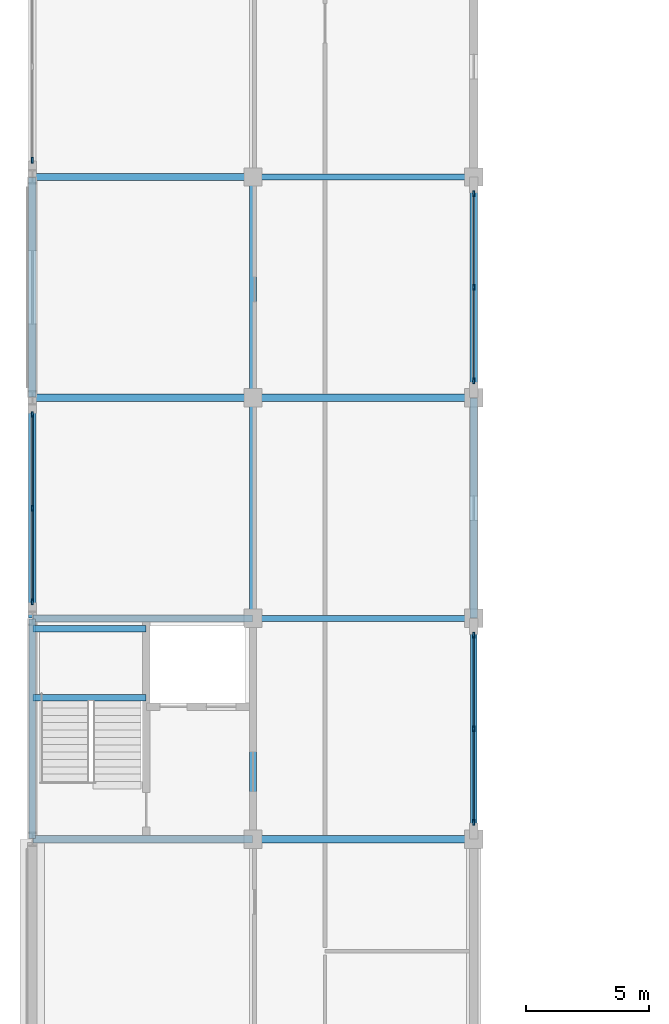
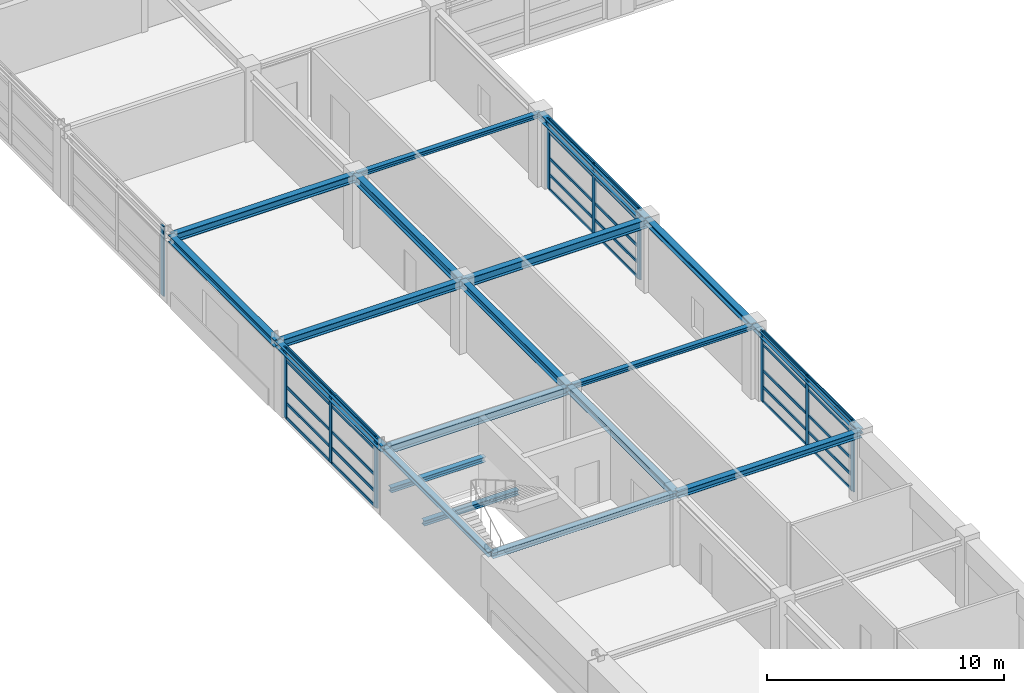
# One storey, part 22 of 79: 40 members, 19 beams, 4 elements without a shape of their own.
"""IFC4 building model written with IfcOpenShell, lengths in metres."""

import ifcopenshell
import ifcopenshell.guid

model = None  # the IFC model being written
_history = None  # IfcOwnerHistory: only IFC2X3 demands one
_inside = {}  # id of a spatial element -> (the spatial element, [elements in it])
_under = {}  # id of a project, library or spatial element -> (it, [spatial elements below it])
_declared = {}  # id of a project -> (the project, [libraries it declares])
_typed = {}  # id of a type object -> (the type object, [elements of that type])
_made_of = {}  # id of a material, layer set ... -> (it, [elements and type objects made of it])


def new_model(schema):
    """Start an empty IFC model of exactly this schema.

    Asked for "IFC4X3", IfcOpenShell would pick the latest addendum, in which some entities
    have other attributes; the version numbers below select the first issue.
    IFC2X3 requires an IfcOwnerHistory on every rooted entity: one is made here for all.
    """
    global model, _history
    if schema == "IFC4X3":
        model = ifcopenshell.file(schema_version=(4, 3, 0, 0))
    else:
        model = ifcopenshell.file(schema=schema)
    _inside.clear()
    _under.clear()
    _declared.clear()
    _typed.clear()
    _made_of.clear()
    _history = None
    if model.schema == "IFC2X3":
        org = make("IfcOrganization", Name="unknown")
        user = make(
            "IfcPersonAndOrganization",
            ThePerson=make("IfcPerson", FamilyName="unknown"),
            TheOrganization=org,
        )
        app = make(
            "IfcApplication",
            ApplicationDeveloper=org,
            Version="unknown",
            ApplicationFullName="unknown",
            ApplicationIdentifier="unknown",
        )
        _history = make(
            "IfcOwnerHistory",
            OwningUser=user,
            OwningApplication=app,
            ChangeAction="ADDED",
            CreationDate=0,
        )
    return model


def make(cls, **values):
    """One entity of the class cls with the attributes given. An attribute that is None is left unset."""
    return model.create_entity(
        cls, **{name: value for name, value in values.items() if value is not None}
    )


def rooted(cls, **values):
    """An entity with a GlobalId (a new one), such as an element, a storey or a relation."""
    return make(cls, GlobalId=ifcopenshell.guid.new(), OwnerHistory=_history, **values)


def si_unit(unit_type, name, prefix=None):
    """IfcSIUnit, for example si_unit("LENGTHUNIT", "METRE", prefix="MILLI")."""
    return make("IfcSIUnit", UnitType=unit_type, Prefix=prefix, Name=name)


def assignment(units):
    """IfcUnitAssignment: the units of a project."""
    return None if units is None else make("IfcUnitAssignment", Units=units)


def point(xyz):
    """IfcCartesianPoint."""
    return None if xyz is None else make("IfcCartesianPoint", Coordinates=xyz)


def direction(xyz):
    """IfcDirection."""
    return None if xyz is None else make("IfcDirection", DirectionRatios=xyz)


def frame(location, z_axis=None, x_axis=None):
    """IfcAxis2Placement3D, a coordinate frame: its origin and axes. An axis left out is left unset."""
    return make(
        "IfcAxis2Placement3D",
        Location=point(location),
        Axis=direction(z_axis),
        RefDirection=direction(x_axis),
    )


def frame_2d(location, x_axis=None):
    """IfcAxis2Placement2D, a coordinate frame in the plane: its origin and x axis."""
    return make(
        "IfcAxis2Placement2D", Location=point(location), RefDirection=direction(x_axis)
    )


def origin():
    """The frame at (0, 0, 0) with its axes left unset."""
    return frame((0.0, 0.0, 0.0))


def origin_2d():
    """The frame at (0, 0) in the plane with its x axis left unset."""
    return frame_2d((0.0, 0.0))


def place(relative_to, where):
    """IfcLocalPlacement: puts the frame where relative to a parent placement (None: the world)."""
    return make(
        "IfcLocalPlacement", PlacementRelTo=relative_to, RelativePlacement=where
    )


def context(
    kind, dimensions, precision=None, world=None, true_north=None, identifier=None
):
    """IfcGeometricRepresentationContext, for example the 3D "Model" context."""
    return make(
        "IfcGeometricRepresentationContext",
        ContextIdentifier=identifier,
        ContextType=kind,
        CoordinateSpaceDimension=dimensions,
        Precision=precision,
        WorldCoordinateSystem=world,
        TrueNorth=true_north,
    )


def subcontext(parent, identifier, kind, view, scale=None):
    """IfcGeometricRepresentationSubContext, for example "Body" below "Model"."""
    return make(
        "IfcGeometricRepresentationSubContext",
        ContextIdentifier=identifier,
        ContextType=kind,
        ParentContext=parent,
        TargetScale=scale,
        TargetView=view,
    )


def project(units=None, contexts=None):
    """IfcProject with its units and contexts."""
    return rooted(
        "IfcProject",
        Name="project",
        RepresentationContexts=contexts,
        UnitsInContext=assignment(units),
    )


def spatial(cls, under=None, at=None, **own):
    """A site, building, storey or space (cls), placed at a placement, below another one or the project."""
    s = rooted(cls, ObjectPlacement=at, **own)
    if under is not None:
        _under.setdefault(under.id(), (under, []))[1].append(s)
    return s


def profile(cls, at=None, kind="AREA", **sizes):
    """A parametric profile (cls). Its sizes go by their IFC names, for example OverallWidth=200.0."""
    return make(cls, ProfileType=kind, Position=at, **sizes)


def rectangle(**sizes):
    """IfcRectangleProfileDef."""
    return profile("IfcRectangleProfileDef", **sizes)


def i_section(**sizes):
    """IfcIShapeProfileDef."""
    return profile("IfcIShapeProfileDef", **sizes)


def extrude(swept, where, along, depth):
    """IfcExtrudedAreaSolid: the profile swept, set in the frame where, extruded along a direction by depth."""
    return make(
        "IfcExtrudedAreaSolid",
        SweptArea=swept,
        Position=where,
        ExtrudedDirection=direction(along),
        Depth=depth,
    )


def shape(context_of_items, identifier, shape_type, items):
    """IfcShapeRepresentation: the items that make up one representation, for example the "Body"."""
    return make(
        "IfcShapeRepresentation",
        ContextOfItems=context_of_items,
        RepresentationIdentifier=identifier,
        RepresentationType=shape_type,
        Items=items,
    )


def material(Name=None, Category=None):
    """IfcMaterial."""
    return make("IfcMaterial", Name=Name, Category=Category)


def material_profile(
    of_material, cross_section, Name=None, Category=None, Priority=None
):
    """IfcMaterialProfile: a cross section and its material."""
    return make(
        "IfcMaterialProfile",
        Name=Name,
        Material=of_material,
        Profile=cross_section,
        Priority=Priority,
        Category=Category,
    )


def profile_set(profiles, Name=None, composite=None):
    """IfcMaterialProfileSet."""
    return make(
        "IfcMaterialProfileSet",
        Name=Name,
        MaterialProfiles=profiles,
        CompositeProfile=composite,
    )


def made_of(thing, what):
    """Note that an element or type object is made of a material, layer set ...; save() writes the relation."""
    if what is not None:
        _made_of.setdefault(what.id(), (what, []))[1].append(thing)
    return thing


def type_object(cls, material=None, **own):
    """A type object (cls), such as IfcWallType, which elements share."""
    return made_of(rooted(cls, **own), material)


def element(
    cls,
    number,
    at=None,
    inside=None,
    cuts=None,
    type_object=None,
    material=None,
    context=None,
    identifier="Body",
    shape_type=None,
    held_by="IfcProductDefinitionShape",
    body=None,
    shapes=None,
    **own,
):
    """One element of the class cls, such as IfcWall. Its Tag is "e" and its number.

    at: its placement. inside: the storey or other place that contains it. cuts: it is an
    opening in that element (IfcRelVoidsElement). A single representation is given by context,
    identifier, shape_type and body (its items); several are given by shapes. held_by: the class
    of the entity that holds the representations. save() writes the other relations.
    """
    e = rooted(cls, Tag="e%d" % number, ObjectPlacement=at, **own)
    if body is not None:
        shapes = [shape(context, identifier, shape_type, body)]
    if shapes is not None:
        e.Representation = make(held_by, Representations=shapes)
    if inside is not None:
        _inside.setdefault(inside.id(), (inside, []))[1].append(e)
    if cuts is not None:
        rooted(
            "IfcRelVoidsElement", RelatingBuildingElement=cuts, RelatedOpeningElement=e
        )
    if type_object is not None:
        _typed.setdefault(type_object.id(), (type_object, []))[1].append(e)
    return made_of(e, material)


def aggregate(whole, parts):
    """IfcRelAggregates: a whole, such as a stair, and the parts it consists of."""
    return rooted("IfcRelAggregates", RelatingObject=whole, RelatedObjects=parts)


def save(model, path):
    """Write the relations noted so far, then the file.

    IfcRelAggregates (storeys below a building ...), IfcRelContainedInSpatialStructure (elements
    in a storey), IfcRelDefinesByType, IfcRelAssociatesMaterial and IfcRelDeclares: one each for
    every whole, place, type object, material and project.
    """
    for whole, parts in _under.values():
        aggregate(whole, parts)
    for where, things in _inside.values():
        rooted(
            "IfcRelContainedInSpatialStructure",
            RelatedElements=things,
            RelatingStructure=where,
        )
    for kind, things in _typed.values():
        rooted("IfcRelDefinesByType", RelatedObjects=things, RelatingType=kind)
    for what, things in _made_of.values():
        rooted("IfcRelAssociatesMaterial", RelatedObjects=things, RelatingMaterial=what)
    for by, libraries in _declared.values():
        rooted("IfcRelDeclares", RelatingContext=by, RelatedDefinitions=libraries)
    model.write(path)


model = new_model("IFC4")

# Units and contexts
model_context = context("Model", 3, precision=1e-05, world=origin(), true_north=direction((0.0, 1.0)))
body_context = subcontext(model_context, "Body", "Model", "MODEL_VIEW")
ifc_project = project(units=[si_unit("LENGTHUNIT", "METRE"), si_unit("AREAUNIT", "SQUARE_METRE"), si_unit("VOLUMEUNIT", "CUBIC_METRE"), si_unit("PLANEANGLEUNIT", "RADIAN"), si_unit("MASSUNIT", "GRAM", prefix="KILO")], contexts=[model_context])

# Site, building, storey
site_placement = place(None, origin())
site = spatial("IfcSite", under=ifc_project, at=site_placement, CompositionType="ELEMENT")
building_placement = place(site_placement, origin())
building = spatial("IfcBuilding", under=site, at=building_placement, Name="Palais des Congres Ocreval", CompositionType="ELEMENT")
storey_placement = place(building_placement, frame((0.0, 0.0, 4.320068359375)))
storey = spatial("IfcBuildingStorey", under=building, at=storey_placement, Name="L01", CompositionType="ELEMENT", Elevation=4.320068359375)

# Curtain wall, members
ifc_material_1 = material(Name="Anodized bronze aluminium and low-E glass", Category="glass")
curtain_wall_type = type_object("IfcCurtainWallType", Name="Unitised Curtain Wall 7900x3660", PredefinedType="USERDEFINED", material=ifc_material_1)
curtain_wall_1_placement = place(storey_placement, origin())
curtain_wall_1 = element("IfcCurtainWall", 1, at=curtain_wall_1_placement, inside=storey, type_object=curtain_wall_type, Name="Unitised Curtain Wall CW02 L01", ObjectType="UNITISED CURTAIN WALL", PredefinedType="USERDEFINED")
ifc_material_2 = material(Name="Anodized bronze aluminium", Category="aluminium")
ifc_material_profile_1 = material_profile(ifc_material_2, rectangle(XDim=0.074951171875, YDim=0.239990234375, at=origin_2d()), Name="ALU 75x240")
ifc_profile_set_1 = profile_set([ifc_material_profile_1], Name="Anodized bronze aluminium")
member_type_1 = type_object("IfcMemberType", Name="Curtain Wall Mullion ALU 75x240", PredefinedType="MULLION", material=ifc_profile_set_1)
member_1_placement = place(storey_placement, frame((0.0, 45.6875, 0.0), z_axis=(0.0, 0.0, 1.0), x_axis=(-1.0, 0.0, 0.0)))
member_1 = element("IfcMember", 2, at=member_1_placement, type_object=member_type_1, Name="Curtain Wall Mullion ML01", PredefinedType="MULLION", context=body_context, shape_type="SweptSolid", body=[
    extrude(rectangle(XDim=0.074951171875, YDim=0.239990234375, at=origin_2d()), origin(), (0.0, 0.0, 1.0), 3.599853515625),
])
member_2_placement = place(storey_placement, frame((0.0, 49.5, 0.0), z_axis=(0.0, 0.0, 1.0), x_axis=(-1.0, 0.0, 0.0)))
member_2 = element("IfcMember", 3, at=member_2_placement, type_object=member_type_1, Name="Curtain Wall Mullion ML01", PredefinedType="MULLION", context=body_context, shape_type="SweptSolid", body=[
    extrude(rectangle(XDim=0.074951171875, YDim=0.239990234375, at=origin_2d()), origin(), (0.0, 0.0, 1.0), 3.599853515625),
])
member_3_placement = place(storey_placement, frame((0.0, 53.3125, 0.0), z_axis=(0.0, 0.0, 1.0), x_axis=(-1.0, 0.0, 0.0)))
member_3 = element("IfcMember", 4, at=member_3_placement, type_object=member_type_1, Name="Curtain Wall Mullion ML01", PredefinedType="MULLION", context=body_context, shape_type="SweptSolid", body=[
    extrude(rectangle(XDim=0.074951171875, YDim=0.239990234375, at=origin_2d()), origin(), (0.0, 0.0, 1.0), 3.599853515625),
])

# Curtain wall, member
curtain_wall_2_placement = place(storey_placement, origin())
curtain_wall_2 = element("IfcCurtainWall", 5, at=curtain_wall_2_placement, inside=storey, type_object=curtain_wall_type, Name="Unitised Curtain Wall CW02 L01", ObjectType="UNITISED CURTAIN WALL", PredefinedType="USERDEFINED")
member_4_placement = place(storey_placement, frame((0.0, 63.6875, 0.0), z_axis=(0.0, 0.0, 1.0), x_axis=(-1.0, 0.0, 0.0)))
member_4 = element("IfcMember", 6, at=member_4_placement, type_object=member_type_1, Name="Curtain Wall Mullion ML01", PredefinedType="MULLION", context=body_context, shape_type="SweptSolid", body=[
    extrude(rectangle(XDim=0.074951171875, YDim=0.239990234375, at=origin_2d()), origin(), (0.0, 0.0, 1.0), 3.599853515625),
])
aggregate(curtain_wall_2, [member_4])

# Curtain wall, members
curtain_wall_3_placement = place(storey_placement, origin())
curtain_wall_3 = element("IfcCurtainWall", 7, at=curtain_wall_3_placement, inside=storey, type_object=curtain_wall_type, Name="Unitised Curtain Wall CW02 L01", ObjectType="UNITISED CURTAIN WALL", PredefinedType="USERDEFINED")
member_5_placement = place(storey_placement, frame((18.0, 62.3125, 0.0), z_axis=(0.0, 0.0, 1.0), x_axis=(1.0, 0.0, 0.0)))
member_5 = element("IfcMember", 8, at=member_5_placement, type_object=member_type_1, Name="Curtain Wall Mullion ML01", PredefinedType="MULLION", context=body_context, shape_type="SweptSolid", body=[
    extrude(rectangle(XDim=0.074951171875, YDim=0.239990234375, at=origin_2d()), origin(), (0.0, 0.0, 1.0), 3.599853515625),
])
member_6_placement = place(storey_placement, frame((18.0, 58.5, 0.0), z_axis=(0.0, 0.0, 1.0), x_axis=(1.0, 0.0, 0.0)))
member_6 = element("IfcMember", 9, at=member_6_placement, type_object=member_type_1, Name="Curtain Wall Mullion ML01", PredefinedType="MULLION", context=body_context, shape_type="SweptSolid", body=[
    extrude(rectangle(XDim=0.074951171875, YDim=0.239990234375, at=origin_2d()), origin(), (0.0, 0.0, 1.0), 3.599853515625),
])
member_7_placement = place(storey_placement, frame((18.0, 54.6875, 0.0), z_axis=(0.0, 0.0, 1.0), x_axis=(1.0, 0.0, 0.0)))
member_7 = element("IfcMember", 10, at=member_7_placement, type_object=member_type_1, Name="Curtain Wall Mullion ML01", PredefinedType="MULLION", context=body_context, shape_type="SweptSolid", body=[
    extrude(rectangle(XDim=0.074951171875, YDim=0.239990234375, at=origin_2d()), origin(), (0.0, 0.0, 1.0), 3.599853515625),
])

curtain_wall_4_placement = place(storey_placement, origin())
curtain_wall_4 = element("IfcCurtainWall", 11, at=curtain_wall_4_placement, inside=storey, type_object=curtain_wall_type, Name="Unitised Curtain Wall CW02 L01", ObjectType="UNITISED CURTAIN WALL", PredefinedType="USERDEFINED")
member_8_placement = place(storey_placement, frame((18.0, 44.3125, 0.0), z_axis=(0.0, 0.0, 1.0), x_axis=(1.0, 0.0, 0.0)))
member_8 = element("IfcMember", 12, at=member_8_placement, type_object=member_type_1, Name="Curtain Wall Mullion ML01", PredefinedType="MULLION", context=body_context, shape_type="SweptSolid", body=[
    extrude(rectangle(XDim=0.074951171875, YDim=0.239990234375, at=origin_2d()), origin(), (0.0, 0.0, 1.0), 3.599853515625),
])
member_9_placement = place(storey_placement, frame((18.0, 40.5, 0.0), z_axis=(0.0, 0.0, 1.0), x_axis=(1.0, 0.0, 0.0)))
member_9 = element("IfcMember", 13, at=member_9_placement, type_object=member_type_1, Name="Curtain Wall Mullion ML01", PredefinedType="MULLION", context=body_context, shape_type="SweptSolid", body=[
    extrude(rectangle(XDim=0.074951171875, YDim=0.239990234375, at=origin_2d()), origin(), (0.0, 0.0, 1.0), 3.599853515625),
])
member_10_placement = place(storey_placement, frame((18.0, 36.6875, 0.0), z_axis=(0.0, 0.0, 1.0), x_axis=(1.0, 0.0, 0.0)))
member_10 = element("IfcMember", 14, at=member_10_placement, type_object=member_type_1, Name="Curtain Wall Mullion ML01", PredefinedType="MULLION", context=body_context, shape_type="SweptSolid", body=[
    extrude(rectangle(XDim=0.074951171875, YDim=0.239990234375, at=origin_2d()), origin(), (0.0, 0.0, 1.0), 3.599853515625),
])

# Member
ifc_material_profile_2 = material_profile(ifc_material_2, rectangle(XDim=0.06005859375, YDim=0.14990234375, at=origin_2d()), Name="ALU 60x150")
ifc_profile_set_2 = profile_set([ifc_material_profile_2], Name="Anodized bronze aluminium")
member_type_2 = type_object("IfcMemberType", Name="Curtain Wall Transom ALU 60x150", PredefinedType="USERDEFINED", material=ifc_profile_set_2)
member_11_placement = place(storey_placement, frame((0.0, 45.72509765625, 0.030029296875), z_axis=(0.0, 1.0, 0.0), x_axis=(-1.0, 0.0, 0.0)))
member_11 = element("IfcMember", 15, at=member_11_placement, type_object=member_type_2, Name="Curtain Wall Transom TR01", ObjectType="TRANSOM", PredefinedType="USERDEFINED", context=body_context, shape_type="SweptSolid", body=[
    extrude(rectangle(XDim=0.06005859375, YDim=0.14990234375, at=origin_2d()), origin(), (0.0, 0.0, 1.0), 3.7373046875),
])

member_12_placement = place(storey_placement, frame((0.0, 45.72509765625, 0.780029296875), z_axis=(0.0, 1.0, 0.0), x_axis=(-1.0, 0.0, 0.0)))
member_12 = element("IfcMember", 16, at=member_12_placement, type_object=member_type_2, Name="Curtain Wall Transom TR01", ObjectType="TRANSOM", PredefinedType="USERDEFINED", context=body_context, shape_type="SweptSolid", body=[
    extrude(rectangle(XDim=0.06005859375, YDim=0.14990234375, at=origin_2d()), origin(), (0.0, 0.0, 1.0), 3.7373046875),
])

member_13_placement = place(storey_placement, frame((0.0, 45.72509765625, 1.622314453125), z_axis=(0.0, 1.0, 0.0), x_axis=(-1.0, 0.0, 0.0)))
member_13 = element("IfcMember", 17, at=member_13_placement, type_object=member_type_2, Name="Curtain Wall Transom TR01", ObjectType="TRANSOM", PredefinedType="USERDEFINED", context=body_context, shape_type="SweptSolid", body=[
    extrude(rectangle(XDim=0.06005859375, YDim=0.14990234375, at=origin_2d()), origin(), (0.0, 0.0, 1.0), 3.7373046875),
])

member_14_placement = place(storey_placement, frame((0.0, 45.72509765625, 2.949951171875), z_axis=(0.0, 1.0, 0.0), x_axis=(-1.0, 0.0, 0.0)))
member_14 = element("IfcMember", 18, at=member_14_placement, type_object=member_type_2, Name="Curtain Wall Transom TR01", ObjectType="TRANSOM", PredefinedType="USERDEFINED", context=body_context, shape_type="SweptSolid", body=[
    extrude(rectangle(XDim=0.06005859375, YDim=0.14990234375, at=origin_2d()), origin(), (0.0, 0.0, 1.0), 3.7373046875),
])

member_15_placement = place(storey_placement, frame((0.0, 45.72509765625, 3.56982421875), z_axis=(0.0, 1.0, 0.0), x_axis=(-1.0, 0.0, 0.0)))
member_15 = element("IfcMember", 19, at=member_15_placement, type_object=member_type_2, Name="Curtain Wall Transom TR01", ObjectType="TRANSOM", PredefinedType="USERDEFINED", context=body_context, shape_type="SweptSolid", body=[
    extrude(rectangle(XDim=0.06005859375, YDim=0.14990234375, at=origin_2d()), origin(), (0.0, 0.0, 1.0), 3.7373046875),
])

member_16_placement = place(storey_placement, frame((0.0, 49.53759765625, 0.030029296875), z_axis=(0.0, 1.0, 0.0), x_axis=(-1.0, 0.0, 0.0)))
member_16 = element("IfcMember", 20, at=member_16_placement, type_object=member_type_2, Name="Curtain Wall Transom TR01", ObjectType="TRANSOM", PredefinedType="USERDEFINED", context=body_context, shape_type="SweptSolid", body=[
    extrude(rectangle(XDim=0.06005859375, YDim=0.14990234375, at=origin_2d()), origin(), (0.0, 0.0, 1.0), 3.7373046875),
])

member_17_placement = place(storey_placement, frame((0.0, 49.53759765625, 0.780029296875), z_axis=(0.0, 1.0, 0.0), x_axis=(-1.0, 0.0, 0.0)))
member_17 = element("IfcMember", 21, at=member_17_placement, type_object=member_type_2, Name="Curtain Wall Transom TR01", ObjectType="TRANSOM", PredefinedType="USERDEFINED", context=body_context, shape_type="SweptSolid", body=[
    extrude(rectangle(XDim=0.06005859375, YDim=0.14990234375, at=origin_2d()), origin(), (0.0, 0.0, 1.0), 3.7373046875),
])

member_18_placement = place(storey_placement, frame((0.0, 49.53759765625, 1.622314453125), z_axis=(0.0, 1.0, 0.0), x_axis=(-1.0, 0.0, 0.0)))
member_18 = element("IfcMember", 22, at=member_18_placement, type_object=member_type_2, Name="Curtain Wall Transom TR01", ObjectType="TRANSOM", PredefinedType="USERDEFINED", context=body_context, shape_type="SweptSolid", body=[
    extrude(rectangle(XDim=0.06005859375, YDim=0.14990234375, at=origin_2d()), origin(), (0.0, 0.0, 1.0), 3.7373046875),
])

member_19_placement = place(storey_placement, frame((0.0, 49.53759765625, 2.949951171875), z_axis=(0.0, 1.0, 0.0), x_axis=(-1.0, 0.0, 0.0)))
member_19 = element("IfcMember", 23, at=member_19_placement, type_object=member_type_2, Name="Curtain Wall Transom TR01", ObjectType="TRANSOM", PredefinedType="USERDEFINED", context=body_context, shape_type="SweptSolid", body=[
    extrude(rectangle(XDim=0.06005859375, YDim=0.14990234375, at=origin_2d()), origin(), (0.0, 0.0, 1.0), 3.7373046875),
])

member_20_placement = place(storey_placement, frame((0.0, 49.53759765625, 3.56982421875), z_axis=(0.0, 1.0, 0.0), x_axis=(-1.0, 0.0, 0.0)))
member_20 = element("IfcMember", 24, at=member_20_placement, type_object=member_type_2, Name="Curtain Wall Transom TR01", ObjectType="TRANSOM", PredefinedType="USERDEFINED", context=body_context, shape_type="SweptSolid", body=[
    extrude(rectangle(XDim=0.06005859375, YDim=0.14990234375, at=origin_2d()), origin(), (0.0, 0.0, 1.0), 3.7373046875),
])

aggregate(curtain_wall_1, [member_1, member_2, member_3, member_11, member_12, member_13, member_14, member_15, member_16, member_17, member_18, member_19, member_20])

member_21_placement = place(storey_placement, frame((18.0, 62.27490234375, 0.030029296875), z_axis=(0.0, -1.0, 0.0), x_axis=(1.0, 0.0, 0.0)))
member_21 = element("IfcMember", 25, at=member_21_placement, type_object=member_type_2, Name="Curtain Wall Transom TR01", ObjectType="TRANSOM", PredefinedType="USERDEFINED", context=body_context, shape_type="SweptSolid", body=[
    extrude(rectangle(XDim=0.06005859375, YDim=0.14990234375, at=origin_2d()), origin(), (0.0, 0.0, 1.0), 3.7373046875),
])

member_22_placement = place(storey_placement, frame((18.0, 62.27490234375, 0.780029296875), z_axis=(0.0, -1.0, 0.0), x_axis=(1.0, 0.0, 0.0)))
member_22 = element("IfcMember", 26, at=member_22_placement, type_object=member_type_2, Name="Curtain Wall Transom TR01", ObjectType="TRANSOM", PredefinedType="USERDEFINED", context=body_context, shape_type="SweptSolid", body=[
    extrude(rectangle(XDim=0.06005859375, YDim=0.14990234375, at=origin_2d()), origin(), (0.0, 0.0, 1.0), 3.7373046875),
])

member_23_placement = place(storey_placement, frame((18.0, 62.27490234375, 1.622314453125), z_axis=(0.0, -1.0, 0.0), x_axis=(1.0, 0.0, 0.0)))
member_23 = element("IfcMember", 27, at=member_23_placement, type_object=member_type_2, Name="Curtain Wall Transom TR01", ObjectType="TRANSOM", PredefinedType="USERDEFINED", context=body_context, shape_type="SweptSolid", body=[
    extrude(rectangle(XDim=0.06005859375, YDim=0.14990234375, at=origin_2d()), origin(), (0.0, 0.0, 1.0), 3.7373046875),
])

member_24_placement = place(storey_placement, frame((18.0, 62.27490234375, 2.949951171875), z_axis=(0.0, -1.0, 0.0), x_axis=(1.0, 0.0, 0.0)))
member_24 = element("IfcMember", 28, at=member_24_placement, type_object=member_type_2, Name="Curtain Wall Transom TR01", ObjectType="TRANSOM", PredefinedType="USERDEFINED", context=body_context, shape_type="SweptSolid", body=[
    extrude(rectangle(XDim=0.06005859375, YDim=0.14990234375, at=origin_2d()), origin(), (0.0, 0.0, 1.0), 3.7373046875),
])

member_25_placement = place(storey_placement, frame((18.0, 62.27490234375, 3.56982421875), z_axis=(0.0, -1.0, 0.0), x_axis=(1.0, 0.0, 0.0)))
member_25 = element("IfcMember", 29, at=member_25_placement, type_object=member_type_2, Name="Curtain Wall Transom TR01", ObjectType="TRANSOM", PredefinedType="USERDEFINED", context=body_context, shape_type="SweptSolid", body=[
    extrude(rectangle(XDim=0.06005859375, YDim=0.14990234375, at=origin_2d()), origin(), (0.0, 0.0, 1.0), 3.7373046875),
])

member_26_placement = place(storey_placement, frame((18.0, 58.46240234375, 0.030029296875), z_axis=(0.0, -1.0, 0.0), x_axis=(1.0, 0.0, 0.0)))
member_26 = element("IfcMember", 30, at=member_26_placement, type_object=member_type_2, Name="Curtain Wall Transom TR01", ObjectType="TRANSOM", PredefinedType="USERDEFINED", context=body_context, shape_type="SweptSolid", body=[
    extrude(rectangle(XDim=0.06005859375, YDim=0.14990234375, at=origin_2d()), origin(), (0.0, 0.0, 1.0), 3.7373046875),
])

member_27_placement = place(storey_placement, frame((18.0, 58.46240234375, 0.780029296875), z_axis=(0.0, -1.0, 0.0), x_axis=(1.0, 0.0, 0.0)))
member_27 = element("IfcMember", 31, at=member_27_placement, type_object=member_type_2, Name="Curtain Wall Transom TR01", ObjectType="TRANSOM", PredefinedType="USERDEFINED", context=body_context, shape_type="SweptSolid", body=[
    extrude(rectangle(XDim=0.06005859375, YDim=0.14990234375, at=origin_2d()), origin(), (0.0, 0.0, 1.0), 3.7373046875),
])

member_28_placement = place(storey_placement, frame((18.0, 58.46240234375, 1.622314453125), z_axis=(0.0, -1.0, 0.0), x_axis=(1.0, 0.0, 0.0)))
member_28 = element("IfcMember", 32, at=member_28_placement, type_object=member_type_2, Name="Curtain Wall Transom TR01", ObjectType="TRANSOM", PredefinedType="USERDEFINED", context=body_context, shape_type="SweptSolid", body=[
    extrude(rectangle(XDim=0.06005859375, YDim=0.14990234375, at=origin_2d()), origin(), (0.0, 0.0, 1.0), 3.7373046875),
])

member_29_placement = place(storey_placement, frame((18.0, 58.46240234375, 2.949951171875), z_axis=(0.0, -1.0, 0.0), x_axis=(1.0, 0.0, 0.0)))
member_29 = element("IfcMember", 33, at=member_29_placement, type_object=member_type_2, Name="Curtain Wall Transom TR01", ObjectType="TRANSOM", PredefinedType="USERDEFINED", context=body_context, shape_type="SweptSolid", body=[
    extrude(rectangle(XDim=0.06005859375, YDim=0.14990234375, at=origin_2d()), origin(), (0.0, 0.0, 1.0), 3.7373046875),
])

member_30_placement = place(storey_placement, frame((18.0, 58.46240234375, 3.56982421875), z_axis=(0.0, -1.0, 0.0), x_axis=(1.0, 0.0, 0.0)))
member_30 = element("IfcMember", 34, at=member_30_placement, type_object=member_type_2, Name="Curtain Wall Transom TR01", ObjectType="TRANSOM", PredefinedType="USERDEFINED", context=body_context, shape_type="SweptSolid", body=[
    extrude(rectangle(XDim=0.06005859375, YDim=0.14990234375, at=origin_2d()), origin(), (0.0, 0.0, 1.0), 3.7373046875),
])

aggregate(curtain_wall_3, [member_5, member_6, member_7, member_21, member_22, member_23, member_24, member_25, member_26, member_27, member_28, member_29, member_30])

member_31_placement = place(storey_placement, frame((18.0, 44.27490234375, 0.030029296875), z_axis=(0.0, -1.0, 0.0), x_axis=(1.0, 0.0, 0.0)))
member_31 = element("IfcMember", 35, at=member_31_placement, type_object=member_type_2, Name="Curtain Wall Transom TR01", ObjectType="TRANSOM", PredefinedType="USERDEFINED", context=body_context, shape_type="SweptSolid", body=[
    extrude(rectangle(XDim=0.06005859375, YDim=0.14990234375, at=origin_2d()), origin(), (0.0, 0.0, 1.0), 3.7373046875),
])

member_32_placement = place(storey_placement, frame((18.0, 44.27490234375, 0.780029296875), z_axis=(0.0, -1.0, 0.0), x_axis=(1.0, 0.0, 0.0)))
member_32 = element("IfcMember", 36, at=member_32_placement, type_object=member_type_2, Name="Curtain Wall Transom TR01", ObjectType="TRANSOM", PredefinedType="USERDEFINED", context=body_context, shape_type="SweptSolid", body=[
    extrude(rectangle(XDim=0.06005859375, YDim=0.14990234375, at=origin_2d()), origin(), (0.0, 0.0, 1.0), 3.7373046875),
])

member_33_placement = place(storey_placement, frame((18.0, 44.27490234375, 1.622314453125), z_axis=(0.0, -1.0, 0.0), x_axis=(1.0, 0.0, 0.0)))
member_33 = element("IfcMember", 37, at=member_33_placement, type_object=member_type_2, Name="Curtain Wall Transom TR01", ObjectType="TRANSOM", PredefinedType="USERDEFINED", context=body_context, shape_type="SweptSolid", body=[
    extrude(rectangle(XDim=0.06005859375, YDim=0.14990234375, at=origin_2d()), origin(), (0.0, 0.0, 1.0), 3.7373046875),
])

member_34_placement = place(storey_placement, frame((18.0, 44.27490234375, 2.949951171875), z_axis=(0.0, -1.0, 0.0), x_axis=(1.0, 0.0, 0.0)))
member_34 = element("IfcMember", 38, at=member_34_placement, type_object=member_type_2, Name="Curtain Wall Transom TR01", ObjectType="TRANSOM", PredefinedType="USERDEFINED", context=body_context, shape_type="SweptSolid", body=[
    extrude(rectangle(XDim=0.06005859375, YDim=0.14990234375, at=origin_2d()), origin(), (0.0, 0.0, 1.0), 3.7373046875),
])

member_35_placement = place(storey_placement, frame((18.0, 44.27490234375, 3.56982421875), z_axis=(0.0, -1.0, 0.0), x_axis=(1.0, 0.0, 0.0)))
member_35 = element("IfcMember", 39, at=member_35_placement, type_object=member_type_2, Name="Curtain Wall Transom TR01", ObjectType="TRANSOM", PredefinedType="USERDEFINED", context=body_context, shape_type="SweptSolid", body=[
    extrude(rectangle(XDim=0.06005859375, YDim=0.14990234375, at=origin_2d()), origin(), (0.0, 0.0, 1.0), 3.7373046875),
])

member_36_placement = place(storey_placement, frame((18.0, 40.46240234375, 0.030029296875), z_axis=(0.0, -1.0, 0.0), x_axis=(1.0, 0.0, 0.0)))
member_36 = element("IfcMember", 40, at=member_36_placement, type_object=member_type_2, Name="Curtain Wall Transom TR01", ObjectType="TRANSOM", PredefinedType="USERDEFINED", context=body_context, shape_type="SweptSolid", body=[
    extrude(rectangle(XDim=0.06005859375, YDim=0.14990234375, at=origin_2d()), origin(), (0.0, 0.0, 1.0), 3.7373046875),
])

member_37_placement = place(storey_placement, frame((18.0, 40.46240234375, 0.780029296875), z_axis=(0.0, -1.0, 0.0), x_axis=(1.0, 0.0, 0.0)))
member_37 = element("IfcMember", 41, at=member_37_placement, type_object=member_type_2, Name="Curtain Wall Transom TR01", ObjectType="TRANSOM", PredefinedType="USERDEFINED", context=body_context, shape_type="SweptSolid", body=[
    extrude(rectangle(XDim=0.06005859375, YDim=0.14990234375, at=origin_2d()), origin(), (0.0, 0.0, 1.0), 3.7373046875),
])

member_38_placement = place(storey_placement, frame((18.0, 40.46240234375, 1.622314453125), z_axis=(0.0, -1.0, 0.0), x_axis=(1.0, 0.0, 0.0)))
member_38 = element("IfcMember", 42, at=member_38_placement, type_object=member_type_2, Name="Curtain Wall Transom TR01", ObjectType="TRANSOM", PredefinedType="USERDEFINED", context=body_context, shape_type="SweptSolid", body=[
    extrude(rectangle(XDim=0.06005859375, YDim=0.14990234375, at=origin_2d()), origin(), (0.0, 0.0, 1.0), 3.7373046875),
])

member_39_placement = place(storey_placement, frame((18.0, 40.46240234375, 2.949951171875), z_axis=(0.0, -1.0, 0.0), x_axis=(1.0, 0.0, 0.0)))
member_39 = element("IfcMember", 43, at=member_39_placement, type_object=member_type_2, Name="Curtain Wall Transom TR01", ObjectType="TRANSOM", PredefinedType="USERDEFINED", context=body_context, shape_type="SweptSolid", body=[
    extrude(rectangle(XDim=0.06005859375, YDim=0.14990234375, at=origin_2d()), origin(), (0.0, 0.0, 1.0), 3.7373046875),
])

member_40_placement = place(storey_placement, frame((18.0, 40.46240234375, 3.56982421875), z_axis=(0.0, -1.0, 0.0), x_axis=(1.0, 0.0, 0.0)))
member_40 = element("IfcMember", 44, at=member_40_placement, type_object=member_type_2, Name="Curtain Wall Transom TR01", ObjectType="TRANSOM", PredefinedType="USERDEFINED", context=body_context, shape_type="SweptSolid", body=[
    extrude(rectangle(XDim=0.06005859375, YDim=0.14990234375, at=origin_2d()), origin(), (0.0, 0.0, 1.0), 3.7373046875),
])

aggregate(curtain_wall_4, [member_8, member_9, member_10, member_31, member_32, member_33, member_34, member_35, member_36, member_37, member_38, member_39, member_40])

# Beams
ifc_material_3 = material(Name="Steel S355", Category="steel")
ifc_material_profile_3 = material_profile(ifc_material_3, i_section(OverallWidth=0.260009765625, OverallDepth=0.260009765625, WebThickness=0.010009765625, FlangeThickness=0.017578125, at=origin_2d()), Name="HEB 260")
ifc_profile_set_3 = profile_set([ifc_material_profile_3], Name="Steel S355")
beam_type_1 = type_object("IfcBeamType", Name="Opening Lintel HEB 260 Steel S355", PredefinedType="LINTEL", material=ifc_profile_set_3)
for number, where, z_axis, x_axis, name in (
    (45, (0.0, 36.02001953125, 3.449951171875), (0.0, 1.0, 0.0), (-1.0, 0.0, 0.0), "Girder LN01 L01"),
    (46, (18.0, 36.02001953125, 3.449951171875), (0.0, 1.0, 0.0), (-1.0, 0.0, 0.0), "Girder LN01 L01"),
):
    element("IfcBeam", number, at=place(storey_placement, frame(where, z_axis=z_axis, x_axis=x_axis)), inside=storey, type_object=beam_type_1, Name=name, PredefinedType="LINTEL", context=body_context, shape_type="SweptSolid", body=[
        extrude(i_section(OverallWidth=0.260009765625, OverallDepth=0.260009765625, WebThickness=0.010009765625, FlangeThickness=0.017578125, at=origin_2d()), origin(), (0.0, 0.0, 1.0), 8.9599609375),
    ])
for number, where, z_axis, x_axis, name in (
    (47, (0.02001953125, 41.77001953125, 1.58984375), (1.0, 0.0, 0.0), (0.0, 1.0, 0.0), "Stair Landing Support Beam ST03 L01-1"),
    (48, (0.02001953125, 44.580078125, 1.58984375), (1.0, 0.0, 0.0), (0.0, 1.0, 0.0), "Stair Landing Support Beam ST03 L01-2"),
):
    element("IfcBeam", number, at=place(storey_placement, frame(where, z_axis=z_axis, x_axis=x_axis)), inside=storey, type_object=beam_type_1, Name=name, PredefinedType="LINTEL", context=body_context, shape_type="SweptSolid", body=[
        extrude(i_section(OverallWidth=0.260009765625, OverallDepth=0.260009765625, WebThickness=0.010009765625, FlangeThickness=0.017578125, at=origin_2d()), origin(), (0.0, 0.0, 1.0), 4.60986328125),
    ])
ifc_material_profile_4 = material_profile(ifc_material_3, i_section(OverallWidth=0.239990234375, OverallDepth=0.22998046875, WebThickness=0.007568359375, FlangeThickness=0.011962890625, at=origin_2d()), Name="HEA 240")
ifc_profile_set_4 = profile_set([ifc_material_profile_4], Name="Steel S355")
beam_type_2 = type_object("IfcBeamType", Name="Perimeter Spandrel HEA 240 Steel S355", PredefinedType="SPANDREL", material=ifc_profile_set_4)
for number, where, z_axis, x_axis, name in (
    (49, (9.02001953125, 45.0, 3.46484375), (1.0, 0.0, 0.0), (0.0, 1.0, 0.0), "Beam SP01 L01"),
    (50, (9.02001953125, 63.0, 3.46484375), (1.0, 0.0, 0.0), (0.0, 1.0, 0.0), "Beam SP01 L01"),
):
    element("IfcBeam", number, at=place(storey_placement, frame(where, z_axis=z_axis, x_axis=x_axis)), inside=storey, type_object=beam_type_2, Name=name, PredefinedType="SPANDREL", context=body_context, shape_type="SweptSolid", body=[
        extrude(i_section(OverallWidth=0.239990234375, OverallDepth=0.22998046875, WebThickness=0.007568359375, FlangeThickness=0.011962890625, at=origin_2d()), origin(), (0.0, 0.0, 1.0), 8.9599609375),
    ])
ifc_material_profile_5 = material_profile(ifc_material_3, i_section(OverallWidth=0.300048828125, OverallDepth=0.300048828125, WebThickness=0.010986328125, FlangeThickness=0.01904296875, at=origin_2d()), Name="HEB 300")
ifc_profile_set_5 = profile_set([ifc_material_profile_5], Name="Steel S355")
beam_type_3 = type_object("IfcBeamType", Name="Perimeter Spandrel HEB 300 Steel S355", PredefinedType="SPANDREL", material=ifc_profile_set_5)
for number, where, z_axis, x_axis, name in (
    (51, (0.0, 45.02001953125, 3.429931640625), (0.0, 1.0, 0.0), (-1.0, 0.0, 0.0), "Girder SP02 L01"),
    (52, (18.0, 45.02001953125, 3.429931640625), (0.0, 1.0, 0.0), (-1.0, 0.0, 0.0), "Girder SP02 L01"),
):
    element("IfcBeam", number, at=place(storey_placement, frame(where, z_axis=z_axis, x_axis=x_axis)), inside=storey, type_object=beam_type_3, Name=name, PredefinedType="SPANDREL", context=body_context, shape_type="SweptSolid", body=[
        extrude(i_section(OverallWidth=0.300048828125, OverallDepth=0.300048828125, WebThickness=0.010986328125, FlangeThickness=0.01904296875, at=origin_2d()), origin(), (0.0, 0.0, 1.0), 8.9599609375),
    ])
ifc_material_profile_6 = material_profile(ifc_material_3, i_section(OverallWidth=0.300048828125, OverallDepth=0.360107421875, WebThickness=0.012451171875, FlangeThickness=0.0224609375, at=origin_2d()), Name="HEB 360")
ifc_profile_set_6 = profile_set([ifc_material_profile_6], Name="Steel S355")
beam_type_4 = type_object("IfcBeamType", Name="Perimeter Spandrel HEB 360 Steel S355", PredefinedType="SPANDREL", material=ifc_profile_set_6)
for number, where, z_axis, x_axis, name in (
    (53, (0.0, 54.02001953125, 3.39990234375), (0.0, 1.0, 0.0), (-1.0, 0.0, 0.0), "Girder SP03 L01"),
    (54, (18.0, 54.02001953125, 3.39990234375), (0.0, 1.0, 0.0), (-1.0, 0.0, 0.0), "Girder SP03 L01"),
):
    element("IfcBeam", number, at=place(storey_placement, frame(where, z_axis=z_axis, x_axis=x_axis)), inside=storey, type_object=beam_type_4, Name=name, PredefinedType="SPANDREL", context=body_context, shape_type="SweptSolid", body=[
        extrude(i_section(OverallWidth=0.300048828125, OverallDepth=0.360107421875, WebThickness=0.012451171875, FlangeThickness=0.0224609375, at=origin_2d()), origin(), (0.0, 0.0, 1.0), 8.9599609375),
    ])
ifc_material_profile_7 = material_profile(ifc_material_3, i_section(OverallWidth=0.300048828125, OverallDepth=0.39990234375, WebThickness=0.013427734375, FlangeThickness=0.02392578125, at=origin_2d()), Name="HEB 400")
ifc_profile_set_7 = profile_set([ifc_material_profile_7], Name="Steel S355")
beam_type_5 = type_object("IfcBeamType", Name="Perimeter Spandrel HEB 400 Steel S355", PredefinedType="SPANDREL", material=ifc_profile_set_7)
for number, where, z_axis, x_axis, name in (
    (55, (0.02001953125, 45.0, 3.3798828125), (1.0, 0.0, 0.0), (0.0, 1.0, 0.0), "Beam SP04 L01"),
    (56, (0.02001953125, 63.0, 3.3798828125), (1.0, 0.0, 0.0), (0.0, 1.0, 0.0), "Beam SP04 L01"),
):
    element("IfcBeam", number, at=place(storey_placement, frame(where, z_axis=z_axis, x_axis=x_axis)), inside=storey, type_object=beam_type_5, Name=name, PredefinedType="SPANDREL", context=body_context, shape_type="SweptSolid", body=[
        extrude(i_section(OverallWidth=0.300048828125, OverallDepth=0.39990234375, WebThickness=0.013427734375, FlangeThickness=0.02392578125, at=origin_2d()), origin(), (0.0, 0.0, 1.0), 8.9599609375),
    ])
ifc_material_profile_8 = material_profile(ifc_material_3, i_section(OverallWidth=0.300048828125, OverallDepth=0.2900390625, WebThickness=0.008544921875, FlangeThickness=0.013916015625, at=origin_2d()), Name="HEA 300")
ifc_profile_set_8 = profile_set([ifc_material_profile_8], Name="Steel S355")
beam_type_6 = type_object("IfcBeamType", Name="Primary Beam HEA 300 Steel S355", PredefinedType="BEAM", material=ifc_profile_set_8)
beam_placement = place(storey_placement, frame((0.02001953125, 36.0, 3.434814453125), z_axis=(1.0, 0.0, 0.0), x_axis=(0.0, 1.0, 0.0)))
element("IfcBeam", 57, at=beam_placement, inside=storey, type_object=beam_type_6, Name="Beam B08 L01", PredefinedType="BEAM", context=body_context, shape_type="SweptSolid", body=[
    extrude(i_section(OverallWidth=0.300048828125, OverallDepth=0.2900390625, WebThickness=0.008544921875, FlangeThickness=0.013916015625, at=origin_2d()), origin(), (0.0, 0.0, 1.0), 8.9599609375),
])
ifc_material_profile_9 = material_profile(ifc_material_3, i_section(OverallWidth=0.300048828125, OverallDepth=0.330078125, WebThickness=0.009521484375, FlangeThickness=0.0166015625, at=origin_2d()), Name="HEA 340")
ifc_profile_set_9 = profile_set([ifc_material_profile_9], Name="Steel S355")
beam_type_7 = type_object("IfcBeamType", Name="Primary Beam HEA 340 Steel S355", PredefinedType="BEAM", material=ifc_profile_set_9)
for number, where, z_axis, x_axis, name in (
    (58, (9.02001953125, 36.0, 3.4150390625), (1.0, 0.0, 0.0), (0.0, 1.0, 0.0), "Beam B09 L01"),
    (59, (9.0, 36.02001953125, 3.4150390625), (0.0, 1.0, 0.0), (-1.0, 0.0, 0.0), "Girder B09 L01"),
):
    element("IfcBeam", number, at=place(storey_placement, frame(where, z_axis=z_axis, x_axis=x_axis)), inside=storey, type_object=beam_type_7, Name=name, PredefinedType="BEAM", context=body_context, shape_type="SweptSolid", body=[
        extrude(i_section(OverallWidth=0.300048828125, OverallDepth=0.330078125, WebThickness=0.009521484375, FlangeThickness=0.0166015625, at=origin_2d()), origin(), (0.0, 0.0, 1.0), 8.9599609375),
    ])
ifc_material_profile_10 = material_profile(ifc_material_3, i_section(OverallWidth=0.300048828125, OverallDepth=0.389892578125, WebThickness=0.010986328125, FlangeThickness=0.01904296875, at=origin_2d()), Name="HEA 400")
ifc_profile_set_10 = profile_set([ifc_material_profile_10], Name="Steel S355")
beam_type_8 = type_object("IfcBeamType", Name="Primary Beam HEA 400 Steel S355", PredefinedType="BEAM", material=ifc_profile_set_10)
for number, where, z_axis, x_axis, name in (
    (60, (0.02001953125, 54.0, 3.385009765625), (1.0, 0.0, 0.0), (0.0, 1.0, 0.0), "Beam B10 L01"),
    (61, (9.0, 45.02001953125, 3.385009765625), (0.0, 1.0, 0.0), (-1.0, 0.0, 0.0), "Girder B10 L01"),
):
    element("IfcBeam", number, at=place(storey_placement, frame(where, z_axis=z_axis, x_axis=x_axis)), inside=storey, type_object=beam_type_8, Name=name, PredefinedType="BEAM", context=body_context, shape_type="SweptSolid", body=[
        extrude(i_section(OverallWidth=0.300048828125, OverallDepth=0.389892578125, WebThickness=0.010986328125, FlangeThickness=0.01904296875, at=origin_2d()), origin(), (0.0, 0.0, 1.0), 8.9599609375),
    ])
ifc_material_profile_11 = material_profile(ifc_material_3, i_section(OverallWidth=0.300048828125, OverallDepth=0.43994140625, WebThickness=0.011474609375, FlangeThickness=0.02099609375, at=origin_2d()), Name="HEA 450")
ifc_profile_set_11 = profile_set([ifc_material_profile_11], Name="Steel S355")
beam_type_9 = type_object("IfcBeamType", Name="Primary Beam HEA 450 Steel S355", PredefinedType="BEAM", material=ifc_profile_set_11)
for number, where, z_axis, x_axis, name in (
    (62, (9.02001953125, 54.0, 3.35986328125), (1.0, 0.0, 0.0), (0.0, 1.0, 0.0), "Beam B11 L01"),
    (63, (9.0, 54.02001953125, 3.35986328125), (0.0, 1.0, 0.0), (-1.0, 0.0, 0.0), "Girder B11 L01"),
):
    element("IfcBeam", number, at=place(storey_placement, frame(where, z_axis=z_axis, x_axis=x_axis)), inside=storey, type_object=beam_type_9, Name=name, PredefinedType="BEAM", context=body_context, shape_type="SweptSolid", body=[
        extrude(i_section(OverallWidth=0.300048828125, OverallDepth=0.43994140625, WebThickness=0.011474609375, FlangeThickness=0.02099609375, at=origin_2d()), origin(), (0.0, 0.0, 1.0), 8.9599609375),
    ])

save(model, "model.ifc")
